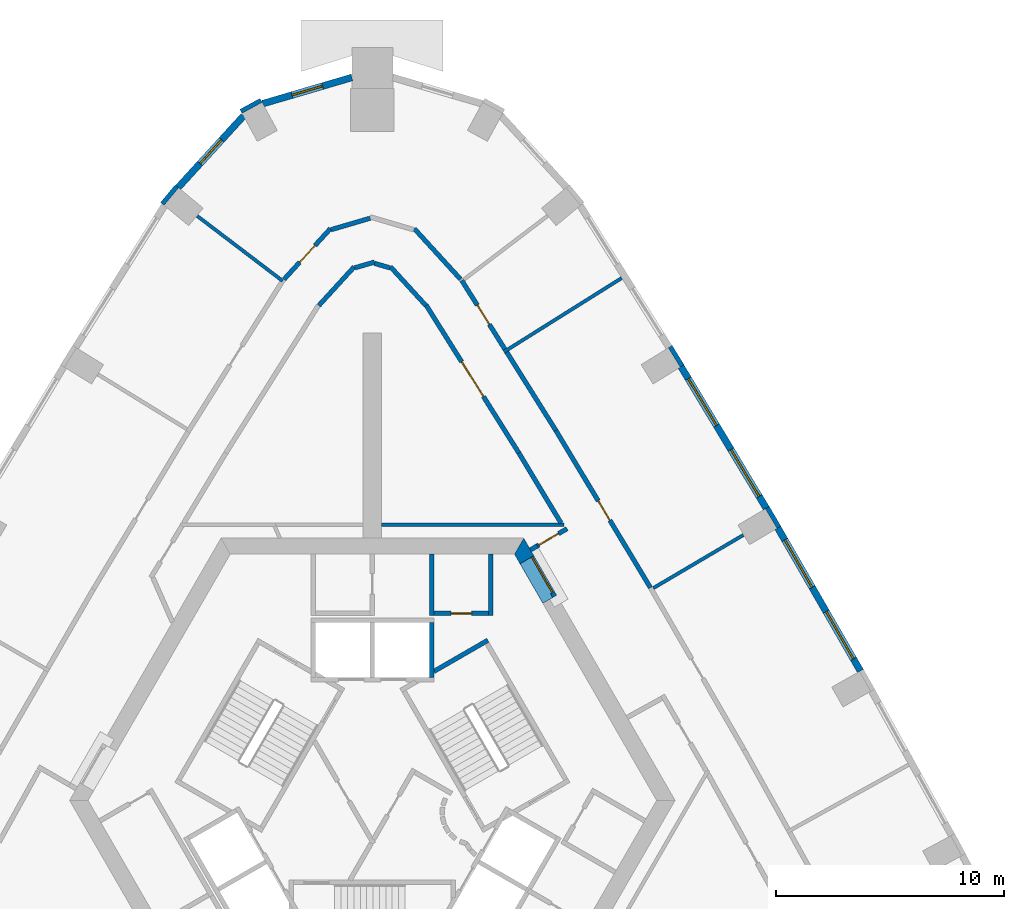
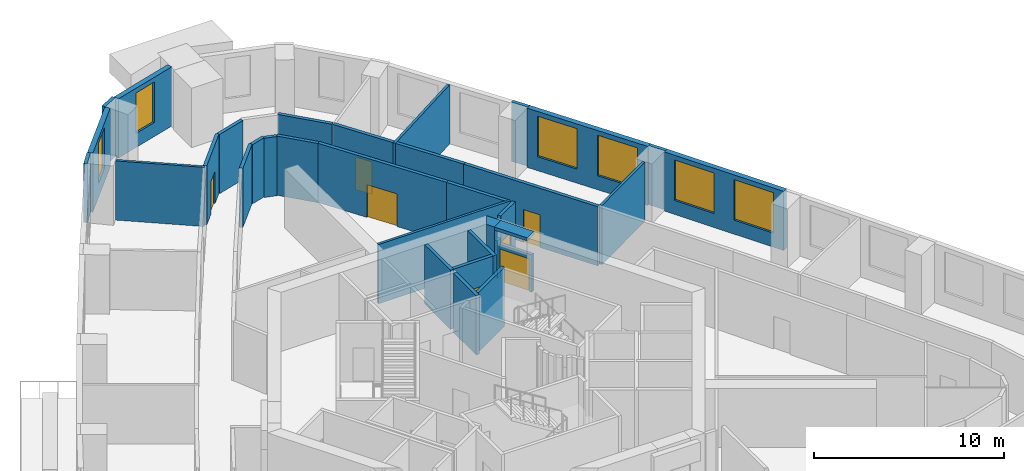
# One storey, part 9 of 13: 34 walls, 7 doors, 6 windows, 13 openings.
"""IFC4 building model written with IfcOpenShell, lengths in metres."""

from ifc_helpers import new_model, si_unit, direction, frame, frame_2d, origin, place, context, subcontext, project, spatial, polyline, rectangle, outline, extrude, material, layer, layer_set, type_object, element, fill, save


model = new_model("IFC4")

# Units and contexts
model_context = context("Model", 3, precision=1e-05, world=origin(), true_north=direction((0.0, 1.0)))
body_context = subcontext(model_context, "Body", "Model", "MODEL_VIEW")
ifc_project = project(units=[si_unit("LENGTHUNIT", "METRE"), si_unit("AREAUNIT", "SQUARE_METRE"), si_unit("VOLUMEUNIT", "CUBIC_METRE"), si_unit("PLANEANGLEUNIT", "RADIAN"), si_unit("MASSUNIT", "GRAM", prefix="KILO")], contexts=[model_context])

# Site, building, storey
site_placement = place(None, origin())
site = spatial("IfcSite", under=ifc_project, at=site_placement, CompositionType="ELEMENT")
building_placement = place(site_placement, origin())
building = spatial("IfcBuilding", under=site, at=building_placement, Name="Entoto Arch Interchange Tower", CompositionType="ELEMENT")
storey_placement = place(building_placement, frame((0.0, 0.0, 223.39990234375)))
storey = spatial("IfcBuildingStorey", under=building, at=storey_placement, Name="L50", CompositionType="ELEMENT", Elevation=223.39990234375)

# Wall, opening, door
ifc_material_1 = material(Name="Reinforced concrete C40/50", Category="concrete")
ifc_layer_1 = layer(ifc_material_1, 0.199951171875)
ifc_layer_set_1 = layer_set([ifc_layer_1], Name="Reinforced concrete C40/50")
wall_type_1 = type_object("IfcWallType", Name="CORE GAP INFILL WALL", PredefinedType="PARTITIONING", material=ifc_layer_set_1)
wall_1_placement = place(storey_placement, frame((7.9970703125, 11.447998046875, 0.0), z_axis=(0.0, 0.0, 1.0), x_axis=(-0.50002537861, 0.866010750942, 0.0)))
wall_1 = element("IfcWall", 1, at=wall_1_placement, inside=storey, type_object=wall_type_1, Name="wall:L50:gap2", PredefinedType="PARTITIONING", context=body_context, shape_type="SweptSolid", body=[
    extrude(rectangle(XDim=2.0, YDim=0.199951171875, at=frame_2d((1.0, 0.0))), origin(), (0.0, 0.0, 1.0), 2.400146484375),
])
opening_1_placement = place(wall_1_placement, frame((0.18994140625, 0.0, 0.0)))
opening_1 = element("IfcOpeningElement", 2, at=opening_1_placement, cuts=wall_1, Name="Opening L50-D92", PredefinedType="OPENING", context=body_context, shape_type="SweptSolid", body=[
    extrude(rectangle(XDim=1.800048828125, YDim=2.10009765625, at=frame_2d((0.89990234375, 1.050048828125))), frame((0.0, 0.10986328125, 0.0), z_axis=(0.0, -1.0, 0.0), x_axis=(1.0, 0.0, 0.0)), (0.0, 0.0, 1.0), 0.219970703125),
])
ifc_material_2 = material(Name="Fire-rated Steel S235 door and frame", Category="steel")
door_type_1 = type_object("IfcDoorType", Name="DOOR FD-18 1800x2100", OperationType="DOUBLE_DOOR_SINGLE_SWING", PredefinedType="DOOR", material=ifc_material_2)
door_1_placement = place(opening_1_placement, origin())
door_1 = element("IfcDoor", 3, at=door_1_placement, inside=storey, type_object=door_type_1, Name="door:L50:gap2", OperationType="DOUBLE_DOOR_SINGLE_SWING", OverallHeight=2.10009765625, OverallWidth=1.800048828125, PredefinedType="DOOR", context=body_context, shape_type="SweptSolid", body=[
    extrude(rectangle(XDim=1.800048828125, YDim=2.10009765625, at=frame_2d((0.89990234375, 1.050048828125))), frame((0.0, 0.02490234375, 0.0), z_axis=(0.0, -1.0, 0.0), x_axis=(1.0, 0.0, 0.0)), (0.0, 0.0, 1.0), 0.050048828125),
])
fill(opening_1, door_1)

# Walls
ifc_material_3 = material(Name="Concrete C50/60", Category="concrete")
ifc_layer_2 = layer(ifc_material_3, 0.699951171875)
ifc_layer_set_2 = layer_set([ifc_layer_2], Name="Concrete C50/60")
wall_type_2 = type_object("IfcWallType", Name="Core wall 700 C50/60", PredefinedType="SHEAR", material=ifc_layer_set_2)
wall_2_placement = place(storey_placement, frame((0.0, 0.0, -0.39990234375)))
element("IfcWall", 4, at=wall_2_placement, inside=storey, type_object=wall_type_2, Name="Core wall NE L50", PredefinedType="SHEAR", context=body_context, shape_type="SweptSolid", body=[
    extrude(outline(polyline([(6.47802734375, 12.8798828125), (7.083984375, 13.22998046875), (6.639892578125, 14.0), (6.235107421875, 13.300048828125), (6.47802734375, 12.8798828125)])), origin(), (0.0, 0.0, 1.0), 4.199951171875),
])
wall_3_placement = place(storey_placement, frame((0.0, 0.0, 3.60009765625)))
element("IfcWall", 5, at=wall_3_placement, inside=storey, type_object=wall_type_2, Name="Core wall lintel NE L50", PredefinedType="SHEAR", context=body_context, shape_type="SweptSolid", body=[
    extrude(outline(polyline([(7.083984375, 13.22998046875), (6.47802734375, 12.8798828125), (7.47802734375, 11.14794921875), (8.083984375, 11.498046875), (7.083984375, 13.22998046875)])), origin(), (0.0, 0.0, 1.0), 0.199951171875),
])
ifc_material_4 = material(Name="Concrete C40/50", Category="concrete")
ifc_layer_3 = layer(ifc_material_4, 0.199951171875)
ifc_layer_set_3 = layer_set([ifc_layer_3], Name="Concrete C40/50")
wall_type_3 = type_object("IfcWallType", Name="LIFT SHAFT WALL 200", PredefinedType="STANDARD", material=ifc_layer_set_3)
wall_4_placement = place(storey_placement, frame((2.60009765625, 7.89990234375, 0.0), z_axis=(0.0, 0.0, 1.0), x_axis=(0.0, 1.0, 0.0)))
element("IfcWall", 6, at=wall_4_placement, inside=storey, type_object=wall_type_3, Name="Shaft wall N1 cross 1", PredefinedType="STANDARD", context=body_context, shape_type="SweptSolid", body=[
    extrude(rectangle(XDim=2.400146484375, YDim=0.199951171875, at=frame_2d((1.2001953125, 0.0))), origin(), (0.0, 0.0, 1.0), 3.800048828125),
])
ifc_material_5 = material(Name="Gypsum board partition on steel studs", Category="steel")
ifc_layer_4 = layer(ifc_material_5, 0.14990234375)
ifc_layer_set_4 = layer_set([ifc_layer_4], Name="Gypsum board partition on steel studs")
wall_type_4 = type_object("IfcWallType", Name="PARTITION 150", PredefinedType="PARTITIONING", material=ifc_layer_set_4)
wall_5_placement = place(storey_placement, frame((8.4150390625, 14.60009765625, 0.0), z_axis=(0.0, 0.0, 1.0), x_axis=(-1.0, 0.0, 0.0)))
element("IfcWall", 7, at=wall_5_placement, inside=storey, type_object=wall_type_4, Name="wall:L50:p084", PredefinedType="PARTITIONING", context=body_context, shape_type="SweptSolid", body=[
    extrude(rectangle(XDim=8.01513671875, YDim=0.14990234375, at=frame_2d((4.007568359375, 0.0))), origin(), (0.0, 0.0, 1.0), 3.800048828125),
])
wall_6_placement = place(storey_placement, frame((12.325927734375, 11.81298828125, 0.0), z_axis=(0.0, 0.0, 1.0), x_axis=(0.861428100003, 0.507879541353, 0.0)))
element("IfcWall", 8, at=wall_6_placement, inside=storey, type_object=wall_type_4, Name="wall:L50:p120", PredefinedType="PARTITIONING", context=body_context, shape_type="SweptSolid", body=[
    extrude(rectangle(XDim=4.57958984375, YDim=0.14990234375, at=frame_2d((2.289794921875, 0.0))), origin(), (0.0, 0.0, 1.0), 3.800048828125),
])
wall_7_placement = place(storey_placement, frame((5.77001953125, 22.172119140625, 0.0), z_axis=(0.0, 0.0, 1.0), x_axis=(0.847187879248, 0.531293419171, 0.0)))
element("IfcWall", 9, at=wall_7_placement, inside=storey, type_object=wall_type_4, Name="wall:L50:p121", PredefinedType="PARTITIONING", context=body_context, shape_type="SweptSolid", body=[
    extrude(rectangle(XDim=6.10009765625, YDim=0.14990234375, at=frame_2d((3.050048828125, 0.0))), origin(), (0.0, 0.0, 1.0), 3.800048828125),
])
wall_8_placement = place(storey_placement, frame((-3.93603515625, 25.285888671875, 0.0), z_axis=(0.0, 0.0, 1.0), x_axis=(-0.795977117067, 0.605326712698, 0.0)))
element("IfcWall", 10, at=wall_8_placement, inside=storey, type_object=wall_type_4, Name="wall:L50:p123", PredefinedType="PARTITIONING", context=body_context, shape_type="SweptSolid", body=[
    extrude(rectangle(XDim=4.70361328125, YDim=0.14990234375, at=frame_2d((2.351806640625, 0.0))), origin(), (0.0, 0.0, 1.0), 3.800048828125),
])
ifc_layer_5 = layer(ifc_material_5, 0.199951171875)
ifc_layer_set_5 = layer_set([ifc_layer_5], Name="Gypsum board partition on steel studs")
wall_type_5 = type_object("IfcWallType", Name="PARTITION 200", PredefinedType="PARTITIONING", material=ifc_layer_set_5)
wall_9_placement = place(storey_placement, frame((6.93408203125, 13.489990234375, 0.0), z_axis=(0.0, 0.0, 1.0), x_axis=(0.865871789474, 0.500265973451, 0.0)))
element("IfcWall", 11, at=wall_9_placement, inside=storey, type_object=wall_type_5, Name="wall:L50:p001", PredefinedType="PARTITIONING", context=body_context, shape_type="SweptSolid", body=[
    extrude(rectangle(XDim=0.349853515625, YDim=0.199951171875, at=frame_2d((0.1748046875, 0.0))), origin(), (0.0, 0.0, 1.0), 2.400146484375),
])
wall_10_placement = place(storey_placement, frame((8.27587890625, 14.6640625, 0.0), z_axis=(0.0, 0.0, 1.0), x_axis=(-0.515416266777, 0.85693994652, 0.0)))
element("IfcWall", 12, at=wall_10_placement, inside=storey, type_object=wall_type_5, Name="wall:L50:p006", PredefinedType="PARTITIONING", context=body_context, shape_type="SweptSolid", body=[
    extrude(rectangle(XDim=3.587158203125, YDim=0.199951171875, at=frame_2d((1.79345703125, 0.0))), origin(), (0.0, 0.0, 1.0), 3.800048828125),
])

# Wall, opening, door
wall_11_placement = place(storey_placement, frame((6.427001953125, 17.738037109375, 0.0), z_axis=(0.0, 0.0, 1.0), x_axis=(-0.531335643981, 0.847161397512, 0.0)))
wall_11 = element("IfcWall", 13, at=wall_11_placement, inside=storey, type_object=wall_type_5, Name="wall:L50:p007", PredefinedType="PARTITIONING", context=body_context, shape_type="SweptSolid", body=[
    extrude(rectangle(XDim=7.646728515625, YDim=0.199951171875, at=frame_2d((3.8232421875, 0.0))), origin(), (0.0, 0.0, 1.0), 3.800048828125),
])
opening_2_placement = place(wall_11_placement, frame((2.923095703125, 0.0, 0.0)))
opening_2 = element("IfcOpeningElement", 14, at=opening_2_placement, cuts=wall_11, Name="Opening L50-D20", PredefinedType="OPENING", context=body_context, shape_type="SweptSolid", body=[
    extrude(rectangle(XDim=1.800048828125, YDim=2.10009765625, at=frame_2d((0.89990234375, 1.050048828125))), frame((0.0, 0.10986328125, 0.0), z_axis=(0.0, -1.0, 0.0), x_axis=(1.0, 0.0, 0.0)), (0.0, 0.0, 1.0), 0.219970703125),
])
ifc_material_6 = material(Name="Timber door leaf in Steel S235 frame", Category="steel")
door_type_2 = type_object("IfcDoorType", Name="DOOR DD-18 1800x2100", OperationType="DOUBLE_DOOR_SINGLE_SWING", PredefinedType="DOOR", material=ifc_material_6)
door_2_placement = place(opening_2_placement, origin())
door_2 = element("IfcDoor", 15, at=door_2_placement, inside=storey, type_object=door_type_2, Name="door:L50:20", OperationType="DOUBLE_DOOR_SINGLE_SWING", OverallHeight=2.10009765625, OverallWidth=1.800048828125, PredefinedType="DOOR", context=body_context, shape_type="SweptSolid", body=[
    extrude(rectangle(XDim=1.800048828125, YDim=2.10009765625, at=frame_2d((0.89990234375, 1.050048828125))), frame((0.0, 0.02490234375, 0.0), z_axis=(0.0, -1.0, 0.0), x_axis=(1.0, 0.0, 0.0)), (0.0, 0.0, 1.0), 0.050048828125),
])
fill(opening_2, door_2)

# Walls
wall_12_placement = place(storey_placement, frame((2.35009765625, 24.205078125, 0.0), z_axis=(0.0, 0.0, 1.0), x_axis=(-0.67475930229, 0.738037860799, 0.0)))
element("IfcWall", 16, at=wall_12_placement, inside=storey, type_object=wall_type_5, Name="wall:L50:p008", PredefinedType="PARTITIONING", context=body_context, shape_type="SweptSolid", body=[
    extrude(rectangle(XDim=2.30322265625, YDim=0.199951171875, at=frame_2d((1.151611328125, 0.0))), origin(), (0.0, 0.0, 1.0), 3.800048828125),
])
wall_13_placement = place(storey_placement, frame((0.76806640625, 25.860107421875, 0.0), z_axis=(0.0, 0.0, 1.0), x_axis=(-0.959714481723, 0.280977069476, 0.0)))
element("IfcWall", 17, at=wall_13_placement, inside=storey, type_object=wall_type_5, Name="wall:L50:p009", PredefinedType="PARTITIONING", context=body_context, shape_type="SweptSolid", body=[
    extrude(rectangle(XDim=0.700439453125, YDim=0.199951171875, at=frame_2d((0.35009765625, 0.0))), origin(), (0.0, 0.0, 1.0), 3.800048828125),
])
wall_14_placement = place(storey_placement, frame((0.095947265625, 26.113037109375, 0.0), z_axis=(0.0, 0.0, 1.0), x_axis=(-0.959723140705, -0.280947491882, 0.0)))
element("IfcWall", 18, at=wall_14_placement, inside=storey, type_object=wall_type_5, Name="wall:L50:p010", PredefinedType="PARTITIONING", context=body_context, shape_type="SweptSolid", body=[
    extrude(rectangle(XDim=0.900390625, YDim=0.199951171875, at=frame_2d((0.4501953125, 0.0))), origin(), (0.0, 0.0, 1.0), 3.800048828125),
])
wall_15_placement = place(storey_placement, frame((-0.7958984375, 25.905029296875, 0.0), z_axis=(0.0, 0.0, 1.0), x_axis=(-0.67475930229, -0.738037860799, 0.0)))
element("IfcWall", 19, at=wall_15_placement, inside=storey, type_object=wall_type_5, Name="wall:L50:p011", PredefinedType="PARTITIONING", context=body_context, shape_type="SweptSolid", body=[
    extrude(rectangle(XDim=2.30322265625, YDim=0.199951171875, at=frame_2d((1.151611328125, 0.0))), origin(), (0.0, 0.0, 1.0), 3.800048828125),
])
wall_16_placement = place(storey_placement, frame((5.89501953125, 22.162109375, 0.0), z_axis=(0.0, 0.0, 1.0), x_axis=(0.531245023709, -0.847218227368, 0.0)))
element("IfcWall", 20, at=wall_16_placement, inside=storey, type_object=wall_type_5, Name="wall:L50:p045", PredefinedType="PARTITIONING", context=body_context, shape_type="SweptSolid", body=[
    extrude(rectangle(XDim=4.048828125, YDim=0.199951171875, at=frame_2d((2.0244140625, 0.0))), origin(), (0.0, 0.0, 1.0), 3.800048828125),
])

# Wall, opening, door
wall_17_placement = place(storey_placement, frame((8.0458984375, 18.73193359375, 0.0), z_axis=(0.0, 0.0, 1.0), x_axis=(0.515502328211, -0.856888178007, 0.0)))
wall_17 = element("IfcWall", 21, at=wall_17_placement, inside=storey, type_object=wall_type_5, Name="wall:L50:p046", PredefinedType="PARTITIONING", context=body_context, shape_type="SweptSolid", body=[
    extrude(rectangle(XDim=8.058349609375, YDim=0.199951171875, at=frame_2d((4.029296875, 0.0))), origin(), (0.0, 0.0, 1.0), 3.800048828125),
])
opening_3_placement = place(wall_17_placement, frame((3.60400390625, 0.0, 0.0)))
opening_3 = element("IfcOpeningElement", 22, at=opening_3_placement, cuts=wall_17, Name="Opening L50-D05", PredefinedType="OPENING", context=body_context, shape_type="SweptSolid", body=[
    extrude(rectangle(XDim=1.0, YDim=2.10009765625, at=frame_2d((0.5, 1.050048828125))), frame((0.0, 0.10986328125, 0.0), z_axis=(0.0, -1.0, 0.0), x_axis=(1.0, 0.0, 0.0)), (0.0, 0.0, 1.0), 0.219970703125),
])
door_type_3 = type_object("IfcDoorType", Name="DOOR DS-10 1000x2100", OperationType="SINGLE_SWING_LEFT", PredefinedType="DOOR", material=ifc_material_6)
door_3_placement = place(opening_3_placement, origin())
door_3 = element("IfcDoor", 23, at=door_3_placement, inside=storey, type_object=door_type_3, Name="door:L50:05", OperationType="SINGLE_SWING_RIGHT", OverallHeight=2.10009765625, OverallWidth=1.0, PredefinedType="DOOR", context=body_context, shape_type="SweptSolid", body=[
    extrude(rectangle(XDim=1.0, YDim=2.10009765625, at=frame_2d((0.5, 1.050048828125))), frame((0.0, 0.02490234375, 0.0), z_axis=(0.0, -1.0, 0.0), x_axis=(1.0, 0.0, 0.0)), (0.0, 0.0, 1.0), 0.050048828125),
])
fill(opening_3, door_3)

wall_18_placement = place(storey_placement, frame((3.923095703125, 25.306884765625, 0.0), z_axis=(0.0, 0.0, 1.0), x_axis=(0.531150612982, -0.847277419934, 0.0)))
wall_18 = element("IfcWall", 24, at=wall_18_placement, inside=storey, type_object=wall_type_5, Name="wall:L50:p047", PredefinedType="PARTITIONING", context=body_context, shape_type="SweptSolid", body=[
    extrude(rectangle(XDim=3.561767578125, YDim=0.199951171875, at=frame_2d((1.78076171875, 0.0))), origin(), (0.0, 0.0, 1.0), 3.800048828125),
])
opening_4_placement = place(wall_18_placement, frame((1.281005859375, 0.0, 0.0)))
opening_4 = element("IfcOpeningElement", 25, at=opening_4_placement, cuts=wall_18, Name="Opening L50-D06", PredefinedType="OPENING", context=body_context, shape_type="SweptSolid", body=[
    extrude(rectangle(XDim=1.0, YDim=2.10009765625, at=frame_2d((0.5, 1.050048828125))), frame((0.0, 0.10986328125, 0.0), z_axis=(0.0, -1.0, 0.0), x_axis=(1.0, 0.0, 0.0)), (0.0, 0.0, 1.0), 0.219970703125),
])
door_4_placement = place(opening_4_placement, origin())
door_4 = element("IfcDoor", 26, at=door_4_placement, inside=storey, type_object=door_type_3, Name="door:L50:06", OperationType="SINGLE_SWING_LEFT", OverallHeight=2.10009765625, OverallWidth=1.0, PredefinedType="DOOR", context=body_context, shape_type="SweptSolid", body=[
    extrude(rectangle(XDim=1.0, YDim=2.10009765625, at=frame_2d((0.5, 1.050048828125))), frame((0.0, 0.02490234375, 0.0), z_axis=(0.0, -1.0, 0.0), x_axis=(1.0, 0.0, 0.0)), (0.0, 0.0, 1.0), 0.050048828125),
])
fill(opening_4, door_4)

wall_19_placement = place(storey_placement, frame((-3.868896484375, 25.360107421875, 0.0), z_axis=(0.0, 0.0, 1.0), x_axis=(0.674594755709, 0.738188265668, 0.0)))
wall_19 = element("IfcWall", 27, at=wall_19_placement, inside=storey, type_object=wall_type_5, Name="wall:L50:p048", PredefinedType="PARTITIONING", context=body_context, shape_type="SweptSolid", body=[
    extrude(rectangle(XDim=3.006103515625, YDim=0.199951171875, at=frame_2d((1.5029296875, 0.0))), origin(), (0.0, 0.0, 1.0), 3.800048828125),
])
opening_5_placement = place(wall_19_placement, frame((1.0029296875, 0.0, 0.0)))
opening_5 = element("IfcOpeningElement", 28, at=opening_5_placement, cuts=wall_19, Name="Opening L50-D07", PredefinedType="OPENING", context=body_context, shape_type="SweptSolid", body=[
    extrude(rectangle(XDim=1.0, YDim=2.10009765625, at=frame_2d((0.5, 1.050048828125))), frame((0.0, 0.10986328125, 0.0), z_axis=(0.0, -1.0, 0.0), x_axis=(1.0, 0.0, 0.0)), (0.0, 0.0, 1.0), 0.219970703125),
])
door_5_placement = place(opening_5_placement, origin())
door_5 = element("IfcDoor", 29, at=door_5_placement, inside=storey, type_object=door_type_3, Name="door:L50:07", OperationType="SINGLE_SWING_LEFT", OverallHeight=2.10009765625, OverallWidth=1.0, PredefinedType="DOOR", context=body_context, shape_type="SweptSolid", body=[
    extrude(rectangle(XDim=1.0, YDim=2.10009765625, at=frame_2d((0.5, 1.050048828125))), frame((0.0, 0.02490234375, 0.0), z_axis=(0.0, -1.0, 0.0), x_axis=(1.0, 0.0, 0.0)), (0.0, 0.0, 1.0), 0.050048828125),
])
fill(opening_5, door_5)

# Walls
wall_20_placement = place(storey_placement, frame((-1.81298828125, 27.532958984375, 0.0), z_axis=(0.0, 0.0, 1.0), x_axis=(0.959495744111, 0.281723121227, 0.0)))
element("IfcWall", 30, at=wall_20_placement, inside=storey, type_object=wall_type_5, Name="wall:L50:p049", PredefinedType="PARTITIONING", context=body_context, shape_type="SweptSolid", body=[
    extrude(rectangle(XDim=1.78955078125, YDim=0.199951171875, at=frame_2d((0.894775390625, 0.0))), origin(), (0.0, 0.0, 1.0), 3.800048828125),
])
wall_21_placement = place(storey_placement, frame((1.841064453125, 27.5791015625, 0.0), z_axis=(0.0, 0.0, 1.0), x_axis=(0.674594755709, -0.738188265668, 0.0)))
element("IfcWall", 31, at=wall_21_placement, inside=storey, type_object=wall_type_5, Name="wall:L50:p051", PredefinedType="PARTITIONING", context=body_context, shape_type="SweptSolid", body=[
    extrude(rectangle(XDim=3.006103515625, YDim=0.199951171875, at=frame_2d((1.5029296875, 0.0))), origin(), (0.0, 0.0, 1.0), 3.800048828125),
])
wall_22_placement = place(storey_placement, frame((5.199951171875, 13.300048828125, 0.0), z_axis=(0.0, 0.0, 1.0), x_axis=(0.0, -1.0, 0.0)))
element("IfcWall", 32, at=wall_22_placement, inside=storey, type_object=wall_type_5, Name="wall:L50:p067", PredefinedType="PARTITIONING", context=body_context, shape_type="SweptSolid", body=[
    extrude(rectangle(XDim=2.699951171875, YDim=0.199951171875, at=frame_2d((1.35009765625, 0.0))), origin(), (0.0, 0.0, 1.0), 3.800048828125),
])

# Wall, opening, door
wall_23_placement = place(storey_placement, frame((5.10009765625, 10.699951171875, 0.0), z_axis=(0.0, 0.0, 1.0), x_axis=(-1.0, 0.0, 0.0)))
wall_23 = element("IfcWall", 33, at=wall_23_placement, inside=storey, type_object=wall_type_5, Name="wall:L50:p068", PredefinedType="PARTITIONING", context=body_context, shape_type="SweptSolid", body=[
    extrude(rectangle(XDim=2.400146484375, YDim=0.199951171875, at=frame_2d((1.2001953125, 0.0))), origin(), (0.0, 0.0, 1.0), 3.800048828125),
])
opening_6_placement = place(wall_23_placement, frame((0.75, 0.0, 0.0)))
opening_6 = element("IfcOpeningElement", 34, at=opening_6_placement, cuts=wall_23, Name="Opening L50-D30", PredefinedType="OPENING", context=body_context, shape_type="SweptSolid", body=[
    extrude(rectangle(XDim=0.89990234375, YDim=2.10009765625, at=frame_2d((0.449951171875, 1.050048828125))), frame((0.0, 0.10986328125, 0.0), z_axis=(0.0, -1.0, 0.0), x_axis=(1.0, 0.0, 0.0)), (0.0, 0.0, 1.0), 0.219970703125),
])
door_type_4 = type_object("IfcDoorType", Name="DOOR DS-09 900x2100", OperationType="SINGLE_SWING_LEFT", PredefinedType="DOOR", material=ifc_material_6)
door_6_placement = place(opening_6_placement, origin())
door_6 = element("IfcDoor", 35, at=door_6_placement, inside=storey, type_object=door_type_4, Name="door:L50:30", OperationType="SINGLE_SWING_RIGHT", OverallHeight=2.10009765625, OverallWidth=0.89990234375, PredefinedType="DOOR", context=body_context, shape_type="SweptSolid", body=[
    extrude(rectangle(XDim=0.89990234375, YDim=2.10009765625, at=frame_2d((0.449951171875, 1.050048828125))), frame((0.0, 0.02490234375, 0.0), z_axis=(0.0, -1.0, 0.0), x_axis=(1.0, 0.0, 0.0)), (0.0, 0.0, 1.0), 0.050048828125),
])
fill(opening_6, door_6)

# Wall
wall_24_placement = place(storey_placement, frame((2.60009765625, 10.60009765625, 0.0), z_axis=(0.0, 0.0, 1.0), x_axis=(0.0, 1.0, 0.0)))
element("IfcWall", 36, at=wall_24_placement, inside=storey, type_object=wall_type_5, Name="wall:L50:p069", PredefinedType="PARTITIONING", context=body_context, shape_type="SweptSolid", body=[
    extrude(rectangle(XDim=2.699951171875, YDim=0.199951171875, at=frame_2d((1.35009765625, 0.0))), origin(), (0.0, 0.0, 1.0), 3.800048828125),
])

# Wall, opening, door
wall_25_placement = place(storey_placement, frame((7.237060546875, 13.6650390625, 0.0), z_axis=(0.0, 0.0, 1.0), x_axis=(0.865999269783, 0.500045262687, 0.0)))
wall_25 = element("IfcWall", 37, at=wall_25_placement, inside=storey, type_object=wall_type_5, Name="wall:L50:p001", PredefinedType="PARTITIONING", context=body_context, shape_type="SweptSolid", body=[
    extrude(rectangle(XDim=1.505615234375, YDim=0.199951171875, at=frame_2d((0.7529296875, 0.0))), origin(), (0.0, 0.0, 1.0), 3.800048828125),
])
opening_7_placement = place(wall_25_placement, frame((0.077880859375, 0.0, 0.0)))
opening_7 = element("IfcOpeningElement", 38, at=opening_7_placement, cuts=wall_25, Name="Opening L50-D25", PredefinedType="OPENING", context=body_context, shape_type="SweptSolid", body=[
    extrude(rectangle(XDim=1.0, YDim=2.10009765625, at=frame_2d((0.5, 1.050048828125))), frame((0.0, 0.10986328125, 0.0), z_axis=(0.0, -1.0, 0.0), x_axis=(1.0, 0.0, 0.0)), (0.0, 0.0, 1.0), 0.219970703125),
])
door_7_placement = place(opening_7_placement, origin())
door_7 = element("IfcDoor", 39, at=door_7_placement, inside=storey, type_object=door_type_3, Name="door:L50:25", OperationType="SINGLE_SWING_LEFT", OverallHeight=2.10009765625, OverallWidth=1.0, PredefinedType="DOOR", context=body_context, shape_type="SweptSolid", body=[
    extrude(rectangle(XDim=1.0, YDim=2.10009765625, at=frame_2d((0.5, 1.050048828125))), frame((0.0, 0.02490234375, 0.0), z_axis=(0.0, -1.0, 0.0), x_axis=(1.0, 0.0, 0.0)), (0.0, 0.0, 1.0), 0.050048828125),
])
fill(opening_7, door_7)

# Wall
ifc_layer_6 = layer(ifc_material_4, 0.199951171875)
ifc_layer_set_6 = layer_set([ifc_layer_6], Name="Concrete C40/50")
wall_type_6 = type_object("IfcWallType", Name="STAIR ENCLOSURE WALL 200", PredefinedType="STANDARD", material=ifc_layer_set_6)
wall_26_placement = place(storey_placement, frame((2.699951171875, 8.157958984375, 0.0), z_axis=(0.0, 0.0, 1.0), x_axis=(0.86611865017, 0.499838457731, 0.0)))
element("IfcWall", 40, at=wall_26_placement, inside=storey, type_object=wall_type_6, Name="Stair wall ST-NE far", PredefinedType="STANDARD", context=body_context, shape_type="SweptSolid", body=[
    extrude(rectangle(XDim=2.73291015625, YDim=0.199951171875, at=frame_2d((1.366455078125, 0.0))), origin(), (0.0, 0.0, 1.0), 3.800048828125),
])

# Wall, openings, windows
ifc_material_7 = material(Name="Welded tuff (ignimbrite) cladding, warm buff", Category="masonry")
ifc_layer_7 = layer(ifc_material_7, 0.300048828125)
ifc_layer_set_7 = layer_set([ifc_layer_7], Name="Welded tuff (ignimbrite) cladding, warm buff")
wall_type_7 = type_object("IfcWallType", Name="STONE INFILL WALL 300", PredefinedType="STANDARD", material=ifc_layer_set_7)
wall_27_placement = place(storey_placement, frame((21.410888671875, 8.177001953125, 0.0), z_axis=(0.0, 0.0, 1.0), x_axis=(-0.499968351115, 0.866043675505, 0.0)))
wall_27 = element("IfcWall", 41, at=wall_27_placement, inside=storey, type_object=wall_type_7, Name="Facade wall NE-03 L50", PredefinedType="STANDARD", context=body_context, shape_type="SweptSolid", body=[
    extrude(rectangle(XDim=7.248046875, YDim=0.300048828125, at=frame_2d((3.6240234375, 0.0))), origin(), (0.0, 0.0, 1.0), 3.800048828125),
])
opening_8_placement = place(wall_27_placement, frame((0.612060546875, 0.0, 0.89990234375)))
opening_8 = element("IfcOpeningElement", 42, at=opening_8_placement, cuts=wall_27, Name="Opening WO-A", PredefinedType="OPENING", context=body_context, shape_type="SweptSolid", body=[
    extrude(rectangle(XDim=2.39990234375, YDim=2.60009765625, at=frame_2d((1.199951171875, 1.300048828125))), frame((0.0, 0.16015625, 0.0), z_axis=(0.0, -1.0, 0.0), x_axis=(1.0, 0.0, 0.0)), (0.0, 0.0, 1.0), 0.320068359375),
])
opening_9_placement = place(wall_27_placement, frame((4.236083984375, 0.0, 0.89990234375)))
opening_9 = element("IfcOpeningElement", 43, at=opening_9_placement, cuts=wall_27, Name="Opening WO-A", PredefinedType="OPENING", context=body_context, shape_type="SweptSolid", body=[
    extrude(rectangle(XDim=2.39990234375, YDim=2.60009765625, at=frame_2d((1.199951171875, 1.300048828125))), frame((0.0, 0.16015625, 0.0), z_axis=(0.0, -1.0, 0.0), x_axis=(1.0, 0.0, 0.0)), (0.0, 0.0, 1.0), 0.320068359375),
])
ifc_material_8 = material(Name="Clear glass, low-e double glazed", Category="glass")
window_type_1 = type_object("IfcWindowType", Name="WINDOW WO-A 2400x2600", PartitioningType="DOUBLE_PANEL_VERTICAL", PredefinedType="WINDOW", material=ifc_material_8)
window_1_placement = place(opening_8_placement, origin())
window_1 = element("IfcWindow", 44, at=window_1_placement, inside=storey, type_object=window_type_1, Name="Window WO-A NE-03 L50", OverallHeight=2.60009765625, OverallWidth=2.39990234375, PartitioningType="SINGLE_PANEL", PredefinedType="WINDOW", context=body_context, shape_type="SweptSolid", body=[
    extrude(rectangle(XDim=2.39990234375, YDim=2.60009765625, at=frame_2d((1.199951171875, 1.300048828125))), frame((0.0, 0.030029296875, 0.0), z_axis=(0.0, -1.0, 0.0), x_axis=(1.0, 0.0, 0.0)), (0.0, 0.0, 1.0), 0.06005859375),
])
fill(opening_8, window_1)
window_2_placement = place(opening_9_placement, origin())
window_2 = element("IfcWindow", 45, at=window_2_placement, inside=storey, type_object=window_type_1, Name="Window WO-A NE-03 L50", OverallHeight=2.60009765625, OverallWidth=2.39990234375, PartitioningType="SINGLE_PANEL", PredefinedType="WINDOW", context=body_context, shape_type="SweptSolid", body=[
    extrude(rectangle(XDim=2.39990234375, YDim=2.60009765625, at=frame_2d((1.199951171875, 1.300048828125))), frame((0.0, 0.030029296875, 0.0), z_axis=(0.0, -1.0, 0.0), x_axis=(1.0, 0.0, 0.0)), (0.0, 0.0, 1.0), 0.06005859375),
])
fill(opening_9, window_2)

wall_28_placement = place(storey_placement, frame((17.281005859375, 15.31298828125, 0.0), z_axis=(0.0, 0.0, 1.0), x_axis=(-0.515560283412, 0.856853309597, 0.0)))
wall_28 = element("IfcWall", 46, at=wall_28_placement, inside=storey, type_object=wall_type_7, Name="Facade wall NE-04 L50", PredefinedType="STANDARD", context=body_context, shape_type="SweptSolid", body=[
    extrude(rectangle(XDim=7.24853515625, YDim=0.300048828125, at=frame_2d((3.624267578125, 0.0))), origin(), (0.0, 0.0, 1.0), 3.800048828125),
])
opening_10_placement = place(wall_28_placement, frame((0.612060546875, 0.0, 0.89990234375)))
opening_10 = element("IfcOpeningElement", 47, at=opening_10_placement, cuts=wall_28, Name="Opening WO-A", PredefinedType="OPENING", context=body_context, shape_type="SweptSolid", body=[
    extrude(rectangle(XDim=2.39990234375, YDim=2.60009765625, at=frame_2d((1.199951171875, 1.300048828125))), frame((0.0, 0.16015625, 0.0), z_axis=(0.0, -1.0, 0.0), x_axis=(1.0, 0.0, 0.0)), (0.0, 0.0, 1.0), 0.320068359375),
])
opening_11_placement = place(wall_28_placement, frame((4.236083984375, 0.0, 0.89990234375)))
opening_11 = element("IfcOpeningElement", 48, at=opening_11_placement, cuts=wall_28, Name="Opening WO-A", PredefinedType="OPENING", context=body_context, shape_type="SweptSolid", body=[
    extrude(rectangle(XDim=2.39990234375, YDim=2.60009765625, at=frame_2d((1.199951171875, 1.300048828125))), frame((0.0, 0.16015625, 0.0), z_axis=(0.0, -1.0, 0.0), x_axis=(1.0, 0.0, 0.0)), (0.0, 0.0, 1.0), 0.320068359375),
])
window_3_placement = place(opening_10_placement, origin())
window_3 = element("IfcWindow", 49, at=window_3_placement, inside=storey, type_object=window_type_1, Name="Window WO-A NE-04 L50", OverallHeight=2.60009765625, OverallWidth=2.39990234375, PartitioningType="SINGLE_PANEL", PredefinedType="WINDOW", context=body_context, shape_type="SweptSolid", body=[
    extrude(rectangle(XDim=2.39990234375, YDim=2.60009765625, at=frame_2d((1.199951171875, 1.300048828125))), frame((0.0, 0.030029296875, 0.0), z_axis=(0.0, -1.0, 0.0), x_axis=(1.0, 0.0, 0.0)), (0.0, 0.0, 1.0), 0.06005859375),
])
fill(opening_10, window_3)
window_4_placement = place(opening_11_placement, origin())
window_4 = element("IfcWindow", 50, at=window_4_placement, inside=storey, type_object=window_type_1, Name="Window WO-A NE-04 L50", OverallHeight=2.60009765625, OverallWidth=2.39990234375, PartitioningType="SINGLE_PANEL", PredefinedType="WINDOW", context=body_context, shape_type="SweptSolid", body=[
    extrude(rectangle(XDim=2.39990234375, YDim=2.60009765625, at=frame_2d((1.199951171875, 1.300048828125))), frame((0.0, 0.030029296875, 0.0), z_axis=(0.0, -1.0, 0.0), x_axis=(1.0, 0.0, 0.0)), (0.0, 0.0, 1.0), 0.06005859375),
])
fill(opening_11, window_4)

# Wall, opening, window
wall_29_placement = place(storey_placement, frame((-0.89892578125, 34.2109375, 0.0), z_axis=(0.0, 0.0, 1.0), x_axis=(-0.959458909918, -0.281848541203, 0.0)))
wall_29 = element("IfcWall", 51, at=wall_29_placement, inside=storey, type_object=wall_type_7, Name="Facade wall N-03 L50", PredefinedType="STANDARD", context=body_context, shape_type="SweptSolid", body=[
    extrude(rectangle(XDim=4.076416015625, YDim=0.300048828125, at=frame_2d((2.0380859375, 0.0))), origin(), (0.0, 0.0, 1.0), 3.800048828125),
])
opening_12_placement = place(wall_29_placement, frame((1.337890625, 0.0, 0.89990234375)))
opening_12 = element("IfcOpeningElement", 52, at=opening_12_placement, cuts=wall_29, Name="Opening WO-B", PredefinedType="OPENING", context=body_context, shape_type="SweptSolid", body=[
    extrude(rectangle(XDim=1.39990234375, YDim=2.60009765625, at=frame_2d((0.699951171875, 1.300048828125))), frame((0.0, 0.16015625, 0.0), z_axis=(0.0, -1.0, 0.0), x_axis=(1.0, 0.0, 0.0)), (0.0, 0.0, 1.0), 0.320068359375),
])
window_type_2 = type_object("IfcWindowType", Name="WINDOW WO-B 1400x2600", PartitioningType="DOUBLE_PANEL_VERTICAL", PredefinedType="WINDOW", material=ifc_material_8)
window_5_placement = place(opening_12_placement, origin())
window_5 = element("IfcWindow", 53, at=window_5_placement, inside=storey, type_object=window_type_2, Name="Window WO-B N-03 L50", OverallHeight=2.60009765625, OverallWidth=1.39990234375, PartitioningType="SINGLE_PANEL", PredefinedType="WINDOW", context=body_context, shape_type="SweptSolid", body=[
    extrude(rectangle(XDim=1.39990234375, YDim=2.60009765625, at=frame_2d((0.699951171875, 1.300048828125))), frame((0.0, 0.030029296875, 0.0), z_axis=(0.0, -1.0, 0.0), x_axis=(1.0, 0.0, 0.0)), (0.0, 0.0, 1.0), 0.06005859375),
])
fill(opening_12, window_5)

wall_30_placement = place(storey_placement, frame((-5.653076171875, 32.52392578125, 0.0), z_axis=(0.0, 0.0, 1.0), x_axis=(-0.674487390017, -0.738286367684, 0.0)))
wall_30 = element("IfcWall", 54, at=wall_30_placement, inside=storey, type_object=wall_type_7, Name="Facade wall N-04 L50", PredefinedType="STANDARD", context=body_context, shape_type="SweptSolid", body=[
    extrude(rectangle(XDim=4.24755859375, YDim=0.300048828125, at=frame_2d((2.123779296875, 0.0))), origin(), (0.0, 0.0, 1.0), 3.800048828125),
])
opening_13_placement = place(wall_30_placement, frame((1.424072265625, 0.0, 0.89990234375)))
opening_13 = element("IfcOpeningElement", 55, at=opening_13_placement, cuts=wall_30, Name="Opening WO-B", PredefinedType="OPENING", context=body_context, shape_type="SweptSolid", body=[
    extrude(rectangle(XDim=1.39990234375, YDim=2.60009765625, at=frame_2d((0.699951171875, 1.300048828125))), frame((0.0, 0.16015625, 0.0), z_axis=(0.0, -1.0, 0.0), x_axis=(1.0, 0.0, 0.0)), (0.0, 0.0, 1.0), 0.320068359375),
])
window_6_placement = place(opening_13_placement, origin())
window_6 = element("IfcWindow", 56, at=window_6_placement, inside=storey, type_object=window_type_2, Name="Window WO-B N-04 L50", OverallHeight=2.60009765625, OverallWidth=1.39990234375, PartitioningType="SINGLE_PANEL", PredefinedType="WINDOW", context=body_context, shape_type="SweptSolid", body=[
    extrude(rectangle(XDim=1.39990234375, YDim=2.60009765625, at=frame_2d((0.699951171875, 1.300048828125))), frame((0.0, 0.030029296875, 0.0), z_axis=(0.0, -1.0, 0.0), x_axis=(1.0, 0.0, 0.0)), (0.0, 0.0, 1.0), 0.06005859375),
])
fill(opening_13, window_6)

# Walls
ifc_layer_8 = layer(ifc_material_7, 0.199951171875)
ifc_layer_set_8 = layer_set([ifc_layer_8], Name="Welded tuff (ignimbrite) cladding, warm buff")
wall_type_8 = type_object("IfcWallType", Name="STONE PIER CLADDING 200", PredefinedType="STANDARD", material=ifc_layer_set_8)
for number, where, z_axis, x_axis, name in (
    (57, (-4.885986328125, 33.2041015625, 0.0), (0.0, 0.0, 1.0), (-0.878250009632, -0.478201757191, 0.0), "Stone pier N3 L50"),
    (58, (17.8349609375, 14.48095703125, 0.0), (0.0, 0.0, 1.0), (-0.508161541526, 0.861261776531, 0.0), "Stone pier NE04 L50"),
):
    element("IfcWall", number, at=place(storey_placement, frame(where, z_axis=z_axis, x_axis=x_axis)), inside=storey, type_object=wall_type_8, Name=name, PredefinedType="STANDARD", context=body_context, shape_type="SweptSolid", body=[
        extrude(rectangle(XDim=0.999755859375, YDim=0.199951171875, at=frame_2d((0.5, 0.0))), origin(), (0.0, 0.0, 1.0), 3.800048828125),
    ])
wall_31_placement = place(storey_placement, frame((13.592041015625, 21.552001953125, 0.0), z_axis=(0.0, 0.0, 1.0), x_axis=(-0.525825307325, 0.850592585306, 0.0)))
element("IfcWall", 59, at=wall_31_placement, inside=storey, type_object=wall_type_8, Name="Stone pier NE05 L50", PredefinedType="STANDARD", context=body_context, shape_type="SweptSolid", body=[
    extrude(rectangle(XDim=1.00048828125, YDim=0.199951171875, at=frame_2d((0.500244140625, 0.0))), origin(), (0.0, 0.0, 1.0), 3.800048828125),
])
wall_32_placement = place(storey_placement, frame((-8.574951171875, 29.43603515625, 0.0), z_axis=(0.0, 0.0, 1.0), x_axis=(-0.637972365578, -0.770059257953, 0.0)))
element("IfcWall", 60, at=wall_32_placement, inside=storey, type_object=wall_type_8, Name="Stone pier NW01 L50", PredefinedType="STANDARD", context=body_context, shape_type="SweptSolid", body=[
    extrude(rectangle(XDim=1.0, YDim=0.199951171875, at=frame_2d((0.5, 0.0))), origin(), (0.0, 0.0, 1.0), 3.800048828125),
])

save(model, "model.ifc")
